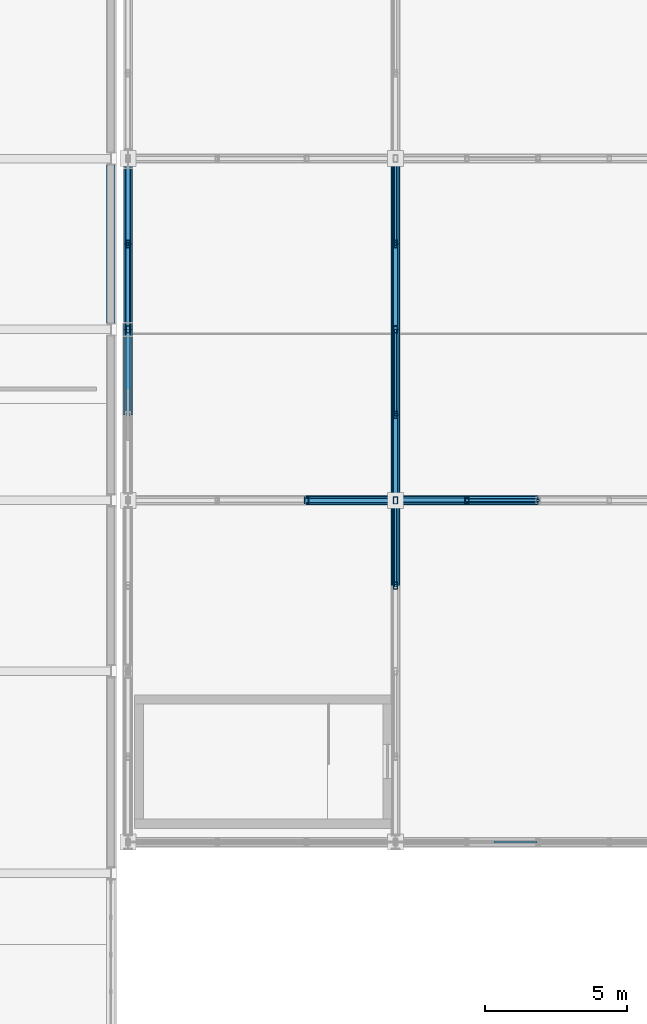
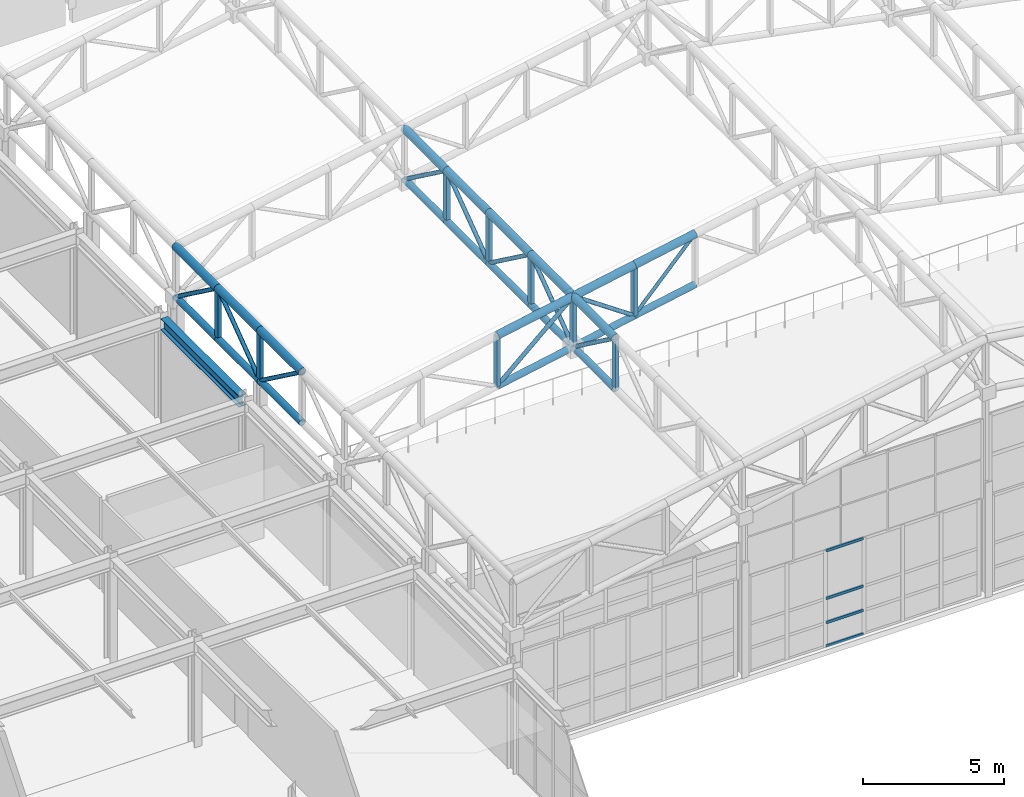
# One storey, part 47 of 112: 46 members, 1 beam, 1 element without a shape of its own.
"""IFC4 building model written with IfcOpenShell, lengths in metres."""

from ifc_helpers import new_model, si_unit, direction, frame, origin, origin_2d, place, context, subcontext, project, spatial, hollow_rectangle, hollow_circle, i_section, extrude, material, material_profile, profile_set, type_object, element, aggregate, save


model = new_model("IFC4")

# Units and contexts
model_context = context("Model", 3, precision=1e-05, world=origin(), true_north=direction((0.0, 1.0)))
body_context = subcontext(model_context, "Body", "Model", "MODEL_VIEW")
ifc_project = project(units=[si_unit("LENGTHUNIT", "METRE"), si_unit("AREAUNIT", "SQUARE_METRE"), si_unit("VOLUMEUNIT", "CUBIC_METRE"), si_unit("PLANEANGLEUNIT", "RADIAN"), si_unit("MASSUNIT", "GRAM", prefix="KILO")], contexts=[model_context])

# Site, building, storey
site_placement = place(None, origin())
site = spatial("IfcSite", under=ifc_project, at=site_placement, CompositionType="ELEMENT")
building_placement = place(site_placement, origin())
building = spatial("IfcBuilding", under=site, at=building_placement, Name="Kaldris Quays Convention Centre", CompositionType="ELEMENT")
storey_placement = place(building_placement, frame((0.0, 0.0, 16.800048828125)))
storey = spatial("IfcBuildingStorey", under=building, at=storey_placement, Name="L03", CompositionType="ELEMENT", Elevation=16.800048828125)

# Curtain wall, members
ifc_material_1 = material(Name="Anodized aluminium AW-6060 and triple glazing", Category="aluminium")
curtain_wall_type = type_object("IfcCurtainWallType", Name="UNITISED CURTAIN WALL CW01", PredefinedType="NOTDEFINED", material=ifc_material_1)
curtain_wall_placement = place(storey_placement, origin())
curtain_wall = element("IfcCurtainWall", 1, at=curtain_wall_placement, inside=storey, type_object=curtain_wall_type, Name="L03 Unitised Curtain Wall CW01 37", PredefinedType="NOTDEFINED")
ifc_material_2 = material(Name="Anodized aluminium AW-6060", Category="aluminium")
ifc_material_profile_1 = material_profile(ifc_material_2, hollow_rectangle(XDim=0.06005859375, YDim=0.1201171875, WallThickness=0.00390625, at=origin_2d()), Name="RHS 120x60x4")
ifc_profile_set_1 = profile_set([ifc_material_profile_1], Name="Anodized aluminium AW-6060")
member_type_1 = type_object("IfcMemberType", Name="CURTAIN TRANSOM CWT1", PredefinedType="USERDEFINED", material=ifc_profile_set_1)
member_1_placement = place(storey_placement, frame((177.44677734375, 56.0, 0.030029296875), z_axis=(1.0, 0.0, 0.0), x_axis=(0.0, 1.0, 0.0)))
member_1 = element("IfcMember", 2, at=member_1_placement, type_object=member_type_1, Name="CW01 transom 3.1", ObjectType="TRANSOM", PredefinedType="USERDEFINED", context=body_context, shape_type="SweptSolid", body=[
    extrude(hollow_rectangle(XDim=0.06005859375, YDim=0.1201171875, WallThickness=0.00390625, at=origin_2d()), origin(), (0.0, 0.0, 1.0), 1.523193359375),
])
member_2_placement = place(storey_placement, frame((177.44677734375, 56.0, 1.050048828125), z_axis=(1.0, 0.0, 0.0), x_axis=(0.0, 1.0, 0.0)))
member_2 = element("IfcMember", 3, at=member_2_placement, type_object=member_type_1, Name="CW01 transom 3.2", ObjectType="TRANSOM", PredefinedType="USERDEFINED", context=body_context, shape_type="SweptSolid", body=[
    extrude(hollow_rectangle(XDim=0.06005859375, YDim=0.1201171875, WallThickness=0.00390625, at=origin_2d()), origin(), (0.0, 0.0, 1.0), 1.523193359375),
])
member_3_placement = place(storey_placement, frame((177.44677734375, 56.0, 2.099853515625), z_axis=(1.0, 0.0, 0.0), x_axis=(0.0, 1.0, 0.0)))
member_3 = element("IfcMember", 4, at=member_3_placement, type_object=member_type_1, Name="CW01 transom 3.3", ObjectType="TRANSOM", PredefinedType="USERDEFINED", context=body_context, shape_type="SweptSolid", body=[
    extrude(hollow_rectangle(XDim=0.06005859375, YDim=0.1201171875, WallThickness=0.00390625, at=origin_2d()), origin(), (0.0, 0.0, 1.0), 1.523193359375),
])
member_4_placement = place(storey_placement, frame((177.44677734375, 56.0, 4.169921875), z_axis=(1.0, 0.0, 0.0), x_axis=(0.0, 1.0, 0.0)))
member_4 = element("IfcMember", 5, at=member_4_placement, type_object=member_type_1, Name="CW01 transom 3.4", ObjectType="TRANSOM", PredefinedType="USERDEFINED", context=body_context, shape_type="SweptSolid", body=[
    extrude(hollow_rectangle(XDim=0.06005859375, YDim=0.1201171875, WallThickness=0.00390625, at=origin_2d()), origin(), (0.0, 0.0, 1.0), 1.523193359375),
])
aggregate(curtain_wall, [member_1, member_2, member_3, member_4])

# Beam
ifc_material_3 = material(Name="Steel S355J2", Category="steel")
ifc_material_profile_2 = material_profile(ifc_material_3, i_section(OverallWidth=0.300048828125, OverallDepth=0.489990234375, WebThickness=0.011962890625, FlangeThickness=0.02294921875, FilletRadius=0.027099609375, at=origin_2d()), Name="HEA 500")
ifc_profile_set_2 = profile_set([ifc_material_profile_2], Name="Steel S355J2")
beam_type = type_object("IfcBeamType", Name="STRUCTURAL BEAM BM09", PredefinedType="BEAM", material=ifc_profile_set_2)
beam_placement = place(storey_placement, frame((164.0, 74.218994140625, 4.3349609375), z_axis=(0.0, 1.0, 0.0), x_axis=(-1.0, 0.0, 0.0)))
element("IfcBeam", 6, at=beam_placement, inside=storey, type_object=beam_type, Name="L03 Girder BM09 95", PredefinedType="BEAM", context=body_context, shape_type="SweptSolid", body=[
    extrude(i_section(OverallWidth=0.300048828125, OverallDepth=0.489990234375, WebThickness=0.011962890625, FlangeThickness=0.02294921875, FilletRadius=0.027099609375, at=origin_2d()), origin(), (0.0, 0.0, 1.0), 5.56201171875),
])

# Members
ifc_material_4 = material(Name="Steel S355J2H", Category="steel")
ifc_material_profile_3 = material_profile(ifc_material_4, hollow_circle(Radius=0.161865234375, WallThickness=0.01611328125, at=origin_2d()), Name="CHS 323.9x16")
ifc_profile_set_3 = profile_set([ifc_material_profile_3], Name="Steel S355J2H")
member_type_2 = type_object("IfcMemberType", Name="STRUCTURAL MEMBER SC03", PredefinedType="CHORD", material=ifc_profile_set_3)
member_5_placement = place(storey_placement, frame((170.86669921875, 68.0, 8.539306640625), z_axis=(0.981908086595, 0.0, 0.189358151342), x_axis=(0.0, 1.0, 0.0)))
element("IfcMember", 7, at=member_5_placement, inside=storey, type_object=member_type_2, Name="SF-V2 Top Chord X 18", PredefinedType="CHORD", context=body_context, shape_type="SweptSolid", body=[
    extrude(hollow_circle(Radius=0.161865234375, WallThickness=0.01611328125, at=origin_2d()), origin(), (0.0, 0.0, 1.0), 3.19091796875),
])
for number, where, z_axis, x_axis, name in (
    (8, (174.0, 68.0, 9.1435546875), (0.981903710383, 0.0, 0.189380842579), (0.0, 1.0, 0.0), "SF-V2 Top Chord X 19"),
    (9, (176.5, 68.0, 9.625732421875), (0.981885875429, 0.0, 0.189473290024), (0.0, 1.0, 0.0), "SF-V2 Top Chord X 20"),
):
    element("IfcMember", number, at=place(storey_placement, frame(where, z_axis=z_axis, x_axis=x_axis)), inside=storey, type_object=member_type_2, Name=name, PredefinedType="CHORD", context=body_context, shape_type="SweptSolid", body=[
        extrude(hollow_circle(Radius=0.161865234375, WallThickness=0.01611328125, at=origin_2d()), origin(), (0.0, 0.0, 1.0), 2.546142578125),
    ])
for number, where, z_axis, x_axis, name in (
    (10, (164.60009765625, 71.0, 7.33056640625), (0.0, 1.0, 0.0), (-1.0, 0.0, 0.0), "SF-V2 Top Chord Y 81"),
    (11, (164.60009765625, 74.0, 7.33056640625), (0.0, 1.0, 0.0), (-1.0, 0.0, 0.0), "SF-V2 Top Chord Y 82"),
    (12, (164.60009765625, 77.0, 7.33056640625), (0.0, 1.0, 0.0), (-1.0, 0.0, 0.0), "SF-V2 Top Chord Y 83"),
    (13, (174.0, 65.0, 9.1435546875), (0.0, 1.0, 0.0), (-1.0, 0.0, 0.0), "SF-V2 Top Chord Y 95"),
    (14, (174.0, 68.0, 9.1435546875), (0.0, 1.0, 0.0), (-1.0, 0.0, 0.0), "SF-V2 Top Chord Y 96"),
    (15, (174.0, 71.0, 9.1435546875), (0.0, 1.0, 0.0), (-1.0, 0.0, 0.0), "SF-V2 Top Chord Y 97"),
    (16, (174.0, 74.0, 9.1435546875), (0.0, 1.0, 0.0), (-1.0, 0.0, 0.0), "SF-V2 Top Chord Y 98"),
    (17, (174.0, 77.0, 9.1435546875), (0.0, 1.0, 0.0), (-1.0, 0.0, 0.0), "SF-V2 Top Chord Y 99"),
):
    element("IfcMember", number, at=place(storey_placement, frame(where, z_axis=z_axis, x_axis=x_axis)), inside=storey, type_object=member_type_2, Name=name, PredefinedType="CHORD", context=body_context, shape_type="SweptSolid", body=[
        extrude(hollow_circle(Radius=0.161865234375, WallThickness=0.01611328125, at=origin_2d()), origin(), (0.0, 0.0, 1.0), 3.0),
    ])
ifc_material_profile_4 = material_profile(ifc_material_4, hollow_circle(Radius=0.136474609375, WallThickness=0.012451171875, at=origin_2d()), Name="CHS 273x12.5")
ifc_profile_set_4 = profile_set([ifc_material_profile_4], Name="Steel S355J2H")
member_type_3 = type_object("IfcMemberType", Name="STRUCTURAL MEMBER SC04", PredefinedType="CHORD", material=ifc_profile_set_4)
member_6_placement = place(storey_placement, frame((170.86669921875, 68.0, 6.33935546875), z_axis=(0.981908086595, 0.0, 0.189358151342), x_axis=(0.0, 1.0, 0.0)))
element("IfcMember", 18, at=member_6_placement, inside=storey, type_object=member_type_3, Name="SF-V2 Bottom Chord X 18", PredefinedType="CHORD", context=body_context, shape_type="SweptSolid", body=[
    extrude(hollow_circle(Radius=0.136474609375, WallThickness=0.012451171875, at=origin_2d()), origin(), (0.0, 0.0, 1.0), 3.19091796875),
])
for number, where, z_axis, x_axis, name in (
    (19, (174.0, 68.0, 6.943603515625), (0.981903710383, 0.0, 0.189380842579), (0.0, 1.0, 0.0), "SF-V2 Bottom Chord X 19"),
    (20, (176.5, 68.0, 7.42578125), (0.981885875429, 0.0, 0.189473290024), (0.0, 1.0, 0.0), "SF-V2 Bottom Chord X 20"),
):
    element("IfcMember", number, at=place(storey_placement, frame(where, z_axis=z_axis, x_axis=x_axis)), inside=storey, type_object=member_type_3, Name=name, PredefinedType="CHORD", context=body_context, shape_type="SweptSolid", body=[
        extrude(hollow_circle(Radius=0.136474609375, WallThickness=0.012451171875, at=origin_2d()), origin(), (0.0, 0.0, 1.0), 2.546142578125),
    ])
for number, where, z_axis, x_axis, name in (
    (21, (164.60009765625, 71.0, 5.13037109375), (0.0, 1.0, 0.0), (-1.0, 0.0, 0.0), "SF-V2 Bottom Chord Y 81"),
    (22, (164.60009765625, 74.0, 5.13037109375), (0.0, 1.0, 0.0), (-1.0, 0.0, 0.0), "SF-V2 Bottom Chord Y 82"),
    (23, (164.60009765625, 77.0, 5.13037109375), (0.0, 1.0, 0.0), (-1.0, 0.0, 0.0), "SF-V2 Bottom Chord Y 83"),
    (24, (174.0, 65.0, 6.943603515625), (0.0, 1.0, 0.0), (-1.0, 0.0, 0.0), "SF-V2 Bottom Chord Y 95"),
    (25, (174.0, 68.0, 6.943603515625), (0.0, 1.0, 0.0), (-1.0, 0.0, 0.0), "SF-V2 Bottom Chord Y 96"),
    (26, (174.0, 71.0, 6.943603515625), (0.0, 1.0, 0.0), (-1.0, 0.0, 0.0), "SF-V2 Bottom Chord Y 97"),
    (27, (174.0, 74.0, 6.943603515625), (0.0, 1.0, 0.0), (-1.0, 0.0, 0.0), "SF-V2 Bottom Chord Y 98"),
    (28, (174.0, 77.0, 6.943603515625), (0.0, 1.0, 0.0), (-1.0, 0.0, 0.0), "SF-V2 Bottom Chord Y 99"),
):
    element("IfcMember", number, at=place(storey_placement, frame(where, z_axis=z_axis, x_axis=x_axis)), inside=storey, type_object=member_type_3, Name=name, PredefinedType="CHORD", context=body_context, shape_type="SweptSolid", body=[
        extrude(hollow_circle(Radius=0.136474609375, WallThickness=0.012451171875, at=origin_2d()), origin(), (0.0, 0.0, 1.0), 3.0),
    ])
ifc_material_profile_5 = material_profile(ifc_material_4, hollow_circle(Radius=0.084228515625, WallThickness=0.008056640625, at=origin_2d()), Name="CHS 168.3x8")
ifc_profile_set_5 = profile_set([ifc_material_profile_5], Name="Steel S355J2H")
member_type_4 = type_object("IfcMemberType", Name="STRUCTURAL MEMBER SWB2", PredefinedType="BRACE", material=ifc_profile_set_5)
member_7_placement = place(storey_placement, frame((170.86669921875, 68.0, 6.33935546875), z_axis=(0.745156270272, 0.0, 0.666889895616), x_axis=(0.0, 1.0, 0.0)))
element("IfcMember", 29, at=member_7_placement, inside=storey, type_object=member_type_4, Name="SF-V2 Web Diagonal X 18", PredefinedType="BRACE", context=body_context, shape_type="SweptSolid", body=[
    extrude(hollow_circle(Radius=0.084228515625, WallThickness=0.008056640625, at=origin_2d()), origin(), (0.0, 0.0, 1.0), 4.204833984375),
])
member_8_placement = place(storey_placement, frame((176.5, 68.0, 7.42578125), z_axis=(-0.8241921955, 0.0, 0.56631018433), x_axis=(0.0, -1.0, 0.0)))
element("IfcMember", 30, at=member_8_placement, inside=storey, type_object=member_type_4, Name="SF-V2 Web Diagonal X 19", PredefinedType="BRACE", context=body_context, shape_type="SweptSolid", body=[
    extrude(hollow_circle(Radius=0.084228515625, WallThickness=0.008056640625, at=origin_2d()), origin(), (0.0, 0.0, 1.0), 3.033203125),
])
for number, where, z_axis, x_axis, name in (
    (31, (164.60009765625, 74.0, 5.13037109375), (0.0, -0.806379959628, 0.591397802423), (1.0, 0.0, 0.0), "SF-V2 Web Diagonal Y 81"),
    (32, (164.60009765625, 74.0, 5.13037109375), (0.0, 0.806379959628, 0.591397802423), (-1.0, 0.0, 0.0), "SF-V2 Web Diagonal Y 82"),
    (33, (164.60009765625, 80.0, 5.13037109375), (0.0, -0.806379959628, 0.591397802423), (1.0, 0.0, 0.0), "SF-V2 Web Diagonal Y 83"),
    (34, (174.0, 68.0, 6.943603515625), (0.0, -0.80641125493, 0.591355128432), (1.0, 0.0, 0.0), "SF-V2 Web Diagonal Y 95"),
    (35, (174.0, 68.0, 6.943603515625), (0.0, 0.80641125493, 0.591355128432), (-1.0, 0.0, 0.0), "SF-V2 Web Diagonal Y 96"),
    (36, (174.0, 74.0, 6.943603515625), (0.0, -0.80641125493, 0.591355128432), (1.0, 0.0, 0.0), "SF-V2 Web Diagonal Y 97"),
    (37, (174.0, 74.0, 6.943603515625), (0.0, 0.80641125493, 0.591355128432), (-1.0, 0.0, 0.0), "SF-V2 Web Diagonal Y 98"),
    (38, (174.0, 80.0, 6.943603515625), (0.0, -0.80641125493, 0.591355128432), (1.0, 0.0, 0.0), "SF-V2 Web Diagonal Y 99"),
):
    element("IfcMember", number, at=place(storey_placement, frame(where, z_axis=z_axis, x_axis=x_axis)), inside=storey, type_object=member_type_4, Name=name, PredefinedType="BRACE", context=body_context, shape_type="SweptSolid", body=[
        extrude(hollow_circle(Radius=0.084228515625, WallThickness=0.008056640625, at=origin_2d()), origin(), (0.0, 0.0, 1.0), 3.72021484375),
    ])
ifc_material_profile_6 = material_profile(ifc_material_4, hollow_circle(Radius=0.06982421875, WallThickness=0.00634765625, at=origin_2d()), Name="CHS 139.7x6.3")
ifc_profile_set_6 = profile_set([ifc_material_profile_6], Name="Steel S355J2H")
member_type_5 = type_object("IfcMemberType", Name="STRUCTURAL MEMBER SWB4", PredefinedType="BRACE", material=ifc_profile_set_6)
member_9_placement = place(storey_placement, frame((176.5, 68.0, 7.42578125), z_axis=(0.681800921589, 0.0, 0.731537766162), x_axis=(0.0, 1.0, 0.0)))
element("IfcMember", 39, at=member_9_placement, inside=storey, type_object=member_type_5, Name="SF-V2 Web Diagonal X 20", PredefinedType="BRACE", context=body_context, shape_type="SweptSolid", body=[
    extrude(hollow_circle(Radius=0.06982421875, WallThickness=0.00634765625, at=origin_2d()), origin(), (0.0, 0.0, 1.0), 3.666748046875),
])
ifc_material_profile_7 = material_profile(ifc_material_4, hollow_rectangle(XDim=0.14990234375, YDim=0.25, WallThickness=0.010009765625, at=origin_2d()), Name="RHS 250x150x10")
ifc_profile_set_7 = profile_set([ifc_material_profile_7], Name="Steel S355J2H")
member_type_6 = type_object("IfcMemberType", Name="STRUCTURAL MEMBER TTV1", PredefinedType="POST", material=ifc_profile_set_7)
member_10_placement = place(storey_placement, frame((164.60009765625, 74.0, 4.993896484375), z_axis=(0.0, 0.0, 1.0), x_axis=(1.0, 0.0, 0.0)))
element("IfcMember", 40, at=member_10_placement, inside=storey, type_object=member_type_6, Name="SF-V2 Space-Frame Post 7", PredefinedType="POST", context=body_context, shape_type="SweptSolid", body=[
    extrude(hollow_rectangle(XDim=0.14990234375, YDim=0.25, WallThickness=0.010009765625, at=origin_2d()), origin(), (0.0, 0.0, 1.0), 2.336669921875),
])
member_11_placement = place(storey_placement, frame((164.60009765625, 77.0, 5.13037109375), z_axis=(0.0, 0.0, 1.0), x_axis=(1.0, 0.0, 0.0)))
element("IfcMember", 41, at=member_11_placement, inside=storey, type_object=member_type_6, Name="SF-V2 Space-Frame Post 8", PredefinedType="POST", context=body_context, shape_type="SweptSolid", body=[
    extrude(hollow_rectangle(XDim=0.14990234375, YDim=0.25, WallThickness=0.010009765625, at=origin_2d()), origin(), (0.0, 0.0, 1.0), 2.2001953125),
])
for number, where, z_axis, x_axis, name in (
    (42, (170.866943359375, 68.0, 6.33935546875), (0.0, 0.0, 1.0), (1.0, 0.0, 0.0), "SF-V2 Space-Frame Post 24"),
    (43, (174.0, 65.0, 6.943603515625), (0.0, 0.0, 1.0), (1.0, 0.0, 0.0), "SF-V2 Space-Frame Post 31"),
    (44, (174.0, 68.0, 6.943603515625), (0.0, 0.0, 1.0), (1.0, 0.0, 0.0), "SF-V2 Space-Frame Post 32"),
    (45, (174.0, 71.0, 6.943603515625), (0.0, 0.0, 1.0), (1.0, 0.0, 0.0), "SF-V2 Space-Frame Post 33"),
    (46, (174.0, 74.0, 6.943603515625), (0.0, 0.0, 1.0), (1.0, 0.0, 0.0), "SF-V2 Space-Frame Post 34"),
    (47, (174.0, 77.0, 6.943603515625), (0.0, 0.0, 1.0), (1.0, 0.0, 0.0), "SF-V2 Space-Frame Post 35"),
    (48, (176.5, 68.0, 7.42578125), (0.0, 0.0, 1.0), (1.0, 0.0, 0.0), "SF-V2 Space-Frame Post 46"),
):
    element("IfcMember", number, at=place(storey_placement, frame(where, z_axis=z_axis, x_axis=x_axis)), inside=storey, type_object=member_type_6, Name=name, PredefinedType="POST", context=body_context, shape_type="SweptSolid", body=[
        extrude(hollow_rectangle(XDim=0.14990234375, YDim=0.25, WallThickness=0.010009765625, at=origin_2d()), origin(), (0.0, 0.0, 1.0), 2.199951171875),
    ])

save(model, "model.ifc")
